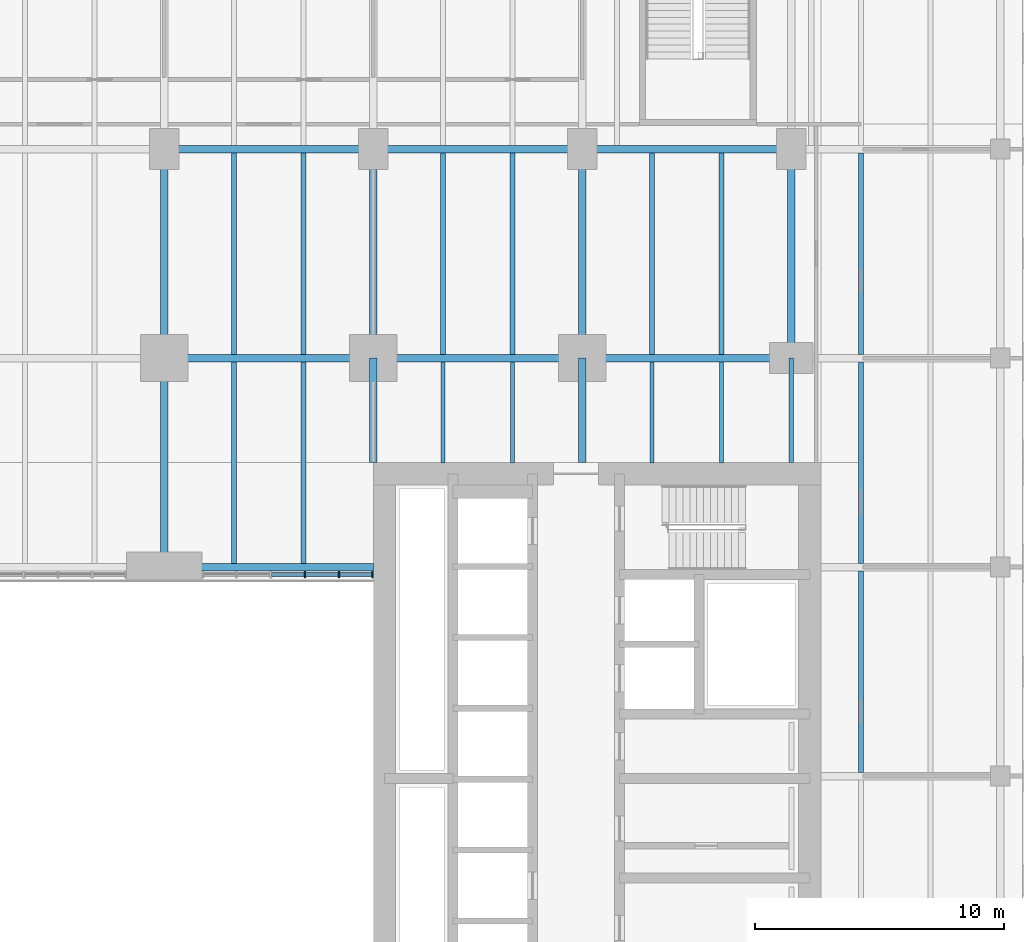
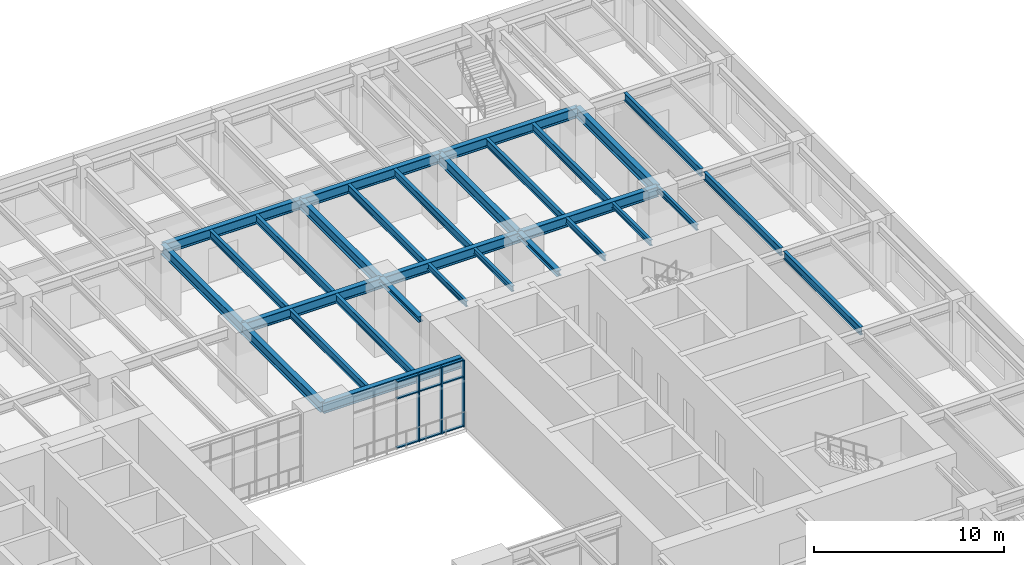
# One storey, part 6 of 26: 30 beams, 12 members, 1 element without a shape of its own.
"""IFC4 building model written with IfcOpenShell, lengths in metres."""

from ifc_helpers import new_model, si_unit, direction, frame, origin, origin_2d, place, context, subcontext, project, spatial, rectangle, i_section, extrude, material, material_profile, profile_set, type_object, element, aggregate, save


model = new_model("IFC4")

# Units and contexts
model_context = context("Model", 3, precision=1e-05, world=origin(), true_north=direction((0.0, 1.0)))
body_context = subcontext(model_context, "Body", "Model", "MODEL_VIEW")
ifc_project = project(units=[si_unit("LENGTHUNIT", "METRE"), si_unit("AREAUNIT", "SQUARE_METRE"), si_unit("VOLUMEUNIT", "CUBIC_METRE"), si_unit("PLANEANGLEUNIT", "RADIAN"), si_unit("MASSUNIT", "GRAM", prefix="KILO")], contexts=[model_context])

# Site, building, storey
site_placement = place(None, origin())
site = spatial("IfcSite", under=ifc_project, at=site_placement, CompositionType="ELEMENT")
building_placement = place(site_placement, origin())
building = spatial("IfcBuilding", under=site, at=building_placement, Name="Claustro Exchange Tower", CompositionType="ELEMENT")
storey_placement = place(building_placement, frame((0.0, 0.0, 9.89990234375)))
storey = spatial("IfcBuildingStorey", under=building, at=storey_placement, Name="L02", CompositionType="ELEMENT", Elevation=9.89990234375)

# Beams
ifc_material_1 = material(Name="Steel S355", Category="steel")
ifc_material_profile_1 = material_profile(ifc_material_1, i_section(OverallWidth=0.300048828125, OverallDepth=0.68994140625, WebThickness=0.014404296875, FlangeThickness=0.027099609375, FilletRadius=0.027099609375, at=origin_2d()), Name="HE 700 A")
ifc_profile_set_1 = profile_set([ifc_material_profile_1], Name="Steel S355")
beam_type_1 = type_object("IfcBeamType", Name="B13 HE 700 A light well edge girder", PredefinedType="BEAM", material=ifc_profile_set_1)
beam_1_placement = place(storey_placement, frame((25.199951171875, 33.60009765625, 3.955078125), z_axis=(1.0, 0.0, 0.0), x_axis=(0.0, 1.0, 0.0)))
element("IfcBeam", 1, at=beam_1_placement, inside=storey, type_object=beam_type_1, Name="Beam B13 L03", PredefinedType="BEAM", context=body_context, shape_type="SweptSolid", body=[
    extrude(i_section(OverallWidth=0.300048828125, OverallDepth=0.68994140625, WebThickness=0.014404296875, FlangeThickness=0.027099609375, FilletRadius=0.027099609375, at=origin_2d()), origin(), (0.0, 0.0, 1.0), 8.400146484375),
])
ifc_material_2 = material(Name="Steel S355", Category="steel")
ifc_material_profile_2 = material_profile(ifc_material_2, i_section(OverallWidth=0.169921875, OverallDepth=0.360107421875, WebThickness=0.008056640625, FlangeThickness=0.0126953125, FilletRadius=0.01806640625, at=origin_2d()), Name="IPE 360")
ifc_profile_set_2 = profile_set([ifc_material_profile_2], Name="Steel S355")
beam_type_2 = type_object("IfcBeamType", Name="B16 IPE 360 short-span beam", PredefinedType="BEAM", material=ifc_profile_set_2)
beam_2_placement = place(storey_placement, frame((50.39990234375, 37.800048828125, 4.1201171875), z_axis=(0.0, 1.0, 0.0), x_axis=(-1.0, 0.0, 0.0)))
element("IfcBeam", 2, at=beam_2_placement, inside=storey, type_object=beam_type_2, Name="Beam B16 L03", PredefinedType="BEAM", context=body_context, shape_type="SweptSolid", body=[
    extrude(i_section(OverallWidth=0.169921875, OverallDepth=0.360107421875, WebThickness=0.008056640625, FlangeThickness=0.0126953125, FilletRadius=0.01806640625, at=origin_2d()), origin(), (0.0, 0.0, 1.0), 4.199951171875),
])
for number, where, z_axis, x_axis, name in (
    (3, (36.39990234375, 37.7900390625, 4.1201171875), (0.0, 1.0, 0.0), (-1.0, 0.0, 0.0), "Beam B16 L03"),
    (4, (39.199951171875, 37.7900390625, 4.1201171875), (0.0, 1.0, 0.0), (-1.0, 0.0, 0.0), "Beam B16 L03"),
    (5, (44.800048828125, 37.7900390625, 4.1201171875), (0.0, 1.0, 0.0), (-1.0, 0.0, 0.0), "Beam B16 L03"),
    (6, (47.60009765625, 37.7900390625, 4.1201171875), (0.0, 1.0, 0.0), (-1.0, 0.0, 0.0), "Beam B16 L03"),
):
    element("IfcBeam", number, at=place(storey_placement, frame(where, z_axis=z_axis, x_axis=x_axis)), inside=storey, type_object=beam_type_2, Name=name, PredefinedType="BEAM", context=body_context, shape_type="SweptSolid", body=[
        extrude(i_section(OverallWidth=0.169921875, OverallDepth=0.360107421875, WebThickness=0.008056640625, FlangeThickness=0.0126953125, FilletRadius=0.01806640625, at=origin_2d()), origin(), (0.0, 0.0, 1.0), 4.06005859375),
    ])
ifc_material_3 = material(Name="Steel S355", Category="steel")
ifc_material_profile_3 = material_profile(ifc_material_3, i_section(OverallWidth=0.300048828125, OverallDepth=0.64990234375, WebThickness=0.01611328125, FlangeThickness=0.031005859375, FilletRadius=0.027099609375, at=origin_2d()), Name="HE 650 B")
ifc_profile_set_3 = profile_set([ifc_material_profile_3], Name="Steel S355")
beam_type_3 = type_object("IfcBeamType", Name="B1A HE 650 B floor girder", PredefinedType="BEAM", material=ifc_profile_set_3)
for number, where, z_axis, x_axis, name in (
    (7, (25.199951171875, 33.60009765625, 3.97509765625), (0.0, 1.0, 0.0), (-1.0, 0.0, 0.0), "Beam B1A L03"),
    (8, (25.199951171875, 42.0, 3.97509765625), (0.0, 1.0, 0.0), (-1.0, 0.0, 0.0), "Beam B1A L03"),
    (9, (33.60009765625, 42.0, 3.97509765625), (0.0, 1.0, 0.0), (-1.0, 0.0, 0.0), "Beam B1A L03"),
    (10, (42.0, 42.0, 3.97509765625), (0.0, 1.0, 0.0), (-1.0, 0.0, 0.0), "Beam B1A L03"),
    (11, (50.39990234375, 42.0, 3.97509765625), (0.0, 1.0, 0.0), (-1.0, 0.0, 0.0), "Beam B1A L03"),
):
    element("IfcBeam", number, at=place(storey_placement, frame(where, z_axis=z_axis, x_axis=x_axis)), inside=storey, type_object=beam_type_3, Name=name, PredefinedType="BEAM", context=body_context, shape_type="SweptSolid", body=[
        extrude(i_section(OverallWidth=0.300048828125, OverallDepth=0.64990234375, WebThickness=0.01611328125, FlangeThickness=0.031005859375, FilletRadius=0.027099609375, at=origin_2d()), origin(), (0.0, 0.0, 1.0), 8.39990234375),
    ])
beam_3_placement = place(storey_placement, frame((25.199951171875, 42.0, 3.97509765625), z_axis=(1.0, 0.0, 0.0), x_axis=(0.0, 1.0, 0.0)))
element("IfcBeam", 12, at=beam_3_placement, inside=storey, type_object=beam_type_3, Name="Beam B1A L03", PredefinedType="BEAM", context=body_context, shape_type="SweptSolid", body=[
    extrude(i_section(OverallWidth=0.300048828125, OverallDepth=0.64990234375, WebThickness=0.01611328125, FlangeThickness=0.031005859375, FilletRadius=0.027099609375, at=origin_2d()), origin(), (0.0, 0.0, 1.0), 8.400146484375),
])
for number, where, z_axis, x_axis, name in (
    (13, (33.60009765625, 42.0, 3.97509765625), (1.0, 0.0, 0.0), (0.0, 1.0, 0.0), "Beam B1A L03"),
    (14, (42.0, 42.0, 3.97509765625), (1.0, 0.0, 0.0), (0.0, 1.0, 0.0), "Beam B1A L03"),
):
    element("IfcBeam", number, at=place(storey_placement, frame(where, z_axis=z_axis, x_axis=x_axis)), inside=storey, type_object=beam_type_3, Name=name, PredefinedType="BEAM", context=body_context, shape_type="SweptSolid", body=[
        extrude(i_section(OverallWidth=0.300048828125, OverallDepth=0.64990234375, WebThickness=0.01611328125, FlangeThickness=0.031005859375, FilletRadius=0.027099609375, at=origin_2d()), origin(), (0.0, 0.0, 1.0), 8.39990234375),
    ])
beam_4_placement = place(storey_placement, frame((25.199951171875, 50.39990234375, 3.97509765625), z_axis=(1.0, 0.0, 0.0), x_axis=(0.0, 1.0, 0.0)))
element("IfcBeam", 15, at=beam_4_placement, inside=storey, type_object=beam_type_3, Name="Beam B1A L03", PredefinedType="BEAM", context=body_context, shape_type="SweptSolid", body=[
    extrude(i_section(OverallWidth=0.300048828125, OverallDepth=0.64990234375, WebThickness=0.01611328125, FlangeThickness=0.031005859375, FilletRadius=0.027099609375, at=origin_2d()), origin(), (0.0, 0.0, 1.0), 8.400146484375),
])
for number, where, z_axis, x_axis, name in (
    (16, (33.60009765625, 50.39990234375, 3.97509765625), (1.0, 0.0, 0.0), (0.0, 1.0, 0.0), "Beam B1A L03"),
    (17, (42.0, 50.39990234375, 3.97509765625), (1.0, 0.0, 0.0), (0.0, 1.0, 0.0), "Beam B1A L03"),
):
    element("IfcBeam", number, at=place(storey_placement, frame(where, z_axis=z_axis, x_axis=x_axis)), inside=storey, type_object=beam_type_3, Name=name, PredefinedType="BEAM", context=body_context, shape_type="SweptSolid", body=[
        extrude(i_section(OverallWidth=0.300048828125, OverallDepth=0.64990234375, WebThickness=0.01611328125, FlangeThickness=0.031005859375, FilletRadius=0.027099609375, at=origin_2d()), origin(), (0.0, 0.0, 1.0), 8.39990234375),
    ])
ifc_material_4 = material(Name="Steel S355", Category="steel")
ifc_material_profile_4 = material_profile(ifc_material_4, i_section(OverallWidth=0.199951171875, OverallDepth=0.5, WebThickness=0.01025390625, FlangeThickness=0.01611328125, FilletRadius=0.02099609375, at=origin_2d()), Name="IPE 500")
ifc_profile_set_4 = profile_set([ifc_material_profile_4], Name="Steel S355")
beam_type_4 = type_object("IfcBeamType", Name="B2 IPE 500 secondary beam", PredefinedType="BEAM", material=ifc_profile_set_4)
for number, where, z_axis, x_axis, name in (
    (18, (28.0, 33.75, 4.050048828125), (0.0, 1.0, 0.0), (-1.0, 0.0, 0.0), "Beam B2 L03"),
    (19, (30.800048828125, 33.75, 4.050048828125), (0.0, 1.0, 0.0), (-1.0, 0.0, 0.0), "Beam B2 L03"),
    (20, (28.0, 42.14990234375, 4.050048828125), (0.0, 1.0, 0.0), (-1.0, 0.0, 0.0), "Beam B2 L03"),
    (21, (30.800048828125, 42.14990234375, 4.050048828125), (0.0, 1.0, 0.0), (-1.0, 0.0, 0.0), "Beam B2 L03"),
    (22, (36.39990234375, 42.14990234375, 4.050048828125), (0.0, 1.0, 0.0), (-1.0, 0.0, 0.0), "Beam B2 L03"),
    (23, (39.199951171875, 42.14990234375, 4.050048828125), (0.0, 1.0, 0.0), (-1.0, 0.0, 0.0), "Beam B2 L03"),
    (24, (44.800048828125, 42.14990234375, 4.050048828125), (0.0, 1.0, 0.0), (-1.0, 0.0, 0.0), "Beam B2 L03"),
    (25, (47.60009765625, 42.14990234375, 4.050048828125), (0.0, 1.0, 0.0), (-1.0, 0.0, 0.0), "Beam B2 L03"),
):
    element("IfcBeam", number, at=place(storey_placement, frame(where, z_axis=z_axis, x_axis=x_axis)), inside=storey, type_object=beam_type_4, Name=name, PredefinedType="BEAM", context=body_context, shape_type="SweptSolid", body=[
        extrude(i_section(OverallWidth=0.199951171875, OverallDepth=0.5, WebThickness=0.01025390625, FlangeThickness=0.01611328125, FilletRadius=0.02099609375, at=origin_2d()), origin(), (0.0, 0.0, 1.0), 8.10009765625),
    ])
beam_5_placement = place(storey_placement, frame((53.199951171875, 25.35009765625, 4.050048828125), z_axis=(0.0, 1.0, 0.0), x_axis=(-1.0, 0.0, 0.0)))
element("IfcBeam", 26, at=beam_5_placement, inside=storey, type_object=beam_type_4, Name="Beam B2 L03", PredefinedType="BEAM", context=body_context, shape_type="SweptSolid", body=[
    extrude(i_section(OverallWidth=0.199951171875, OverallDepth=0.5, WebThickness=0.01025390625, FlangeThickness=0.01611328125, FilletRadius=0.02099609375, at=origin_2d()), origin(), (0.0, 0.0, 1.0), 8.099853515625),
])
for number, where, z_axis, x_axis, name in (
    (27, (53.199951171875, 33.75, 4.050048828125), (0.0, 1.0, 0.0), (-1.0, 0.0, 0.0), "Beam B2 L03"),
    (28, (53.199951171875, 42.14990234375, 4.050048828125), (0.0, 1.0, 0.0), (-1.0, 0.0, 0.0), "Beam B2 L03"),
):
    element("IfcBeam", number, at=place(storey_placement, frame(where, z_axis=z_axis, x_axis=x_axis)), inside=storey, type_object=beam_type_4, Name=name, PredefinedType="BEAM", context=body_context, shape_type="SweptSolid", body=[
        extrude(i_section(OverallWidth=0.199951171875, OverallDepth=0.5, WebThickness=0.01025390625, FlangeThickness=0.01611328125, FilletRadius=0.02099609375, at=origin_2d()), origin(), (0.0, 0.0, 1.0), 8.10009765625),
    ])
ifc_material_5 = material(Name="Steel S355", Category="steel")
ifc_material_profile_5 = material_profile(ifc_material_5, i_section(OverallWidth=0.300048828125, OverallDepth=0.360107421875, WebThickness=0.012451171875, FlangeThickness=0.0224609375, FilletRadius=0.027099609375, at=origin_2d()), Name="HE 360 B")
ifc_profile_set_5 = profile_set([ifc_material_profile_5], Name="Steel S355")
beam_type_5 = type_object("IfcBeamType", Name="B29 HE 360 B column to core link beam", PredefinedType="BEAM", material=ifc_profile_set_5)
for number, where, z_axis, x_axis, name in (
    (29, (33.60009765625, 37.800048828125, 4.1201171875), (0.0, 1.0, 0.0), (-1.0, 0.0, 0.0), "Beam B29 L03"),
    (30, (42.0, 37.800048828125, 4.1201171875), (0.0, 1.0, 0.0), (-1.0, 0.0, 0.0), "Beam B29 L03"),
):
    element("IfcBeam", number, at=place(storey_placement, frame(where, z_axis=z_axis, x_axis=x_axis)), inside=storey, type_object=beam_type_5, Name=name, PredefinedType="BEAM", context=body_context, shape_type="SweptSolid", body=[
        extrude(i_section(OverallWidth=0.300048828125, OverallDepth=0.360107421875, WebThickness=0.012451171875, FlangeThickness=0.0224609375, FilletRadius=0.027099609375, at=origin_2d()), origin(), (0.0, 0.0, 1.0), 4.199951171875),
    ])

# Curtain wall, members
ifc_material_6 = material(Name="Aluminium frame, clear double glazing", Category="aluminium")
curtain_wall_type = type_object("IfcCurtainWallType", Name="CW6 sky lobby and conference curtain wall", PredefinedType="USERDEFINED", material=ifc_material_6)
curtain_wall_placement = place(storey_placement, origin())
curtain_wall = element("IfcCurtainWall", 31, at=curtain_wall_placement, inside=storey, type_object=curtain_wall_type, Name="Curtain wall CW6 L02", ObjectType="STICK CURTAIN WALL", PredefinedType="USERDEFINED")
ifc_material_7 = material(Name="Aluminium mullion", Category="aluminium")
ifc_material_profile_6 = material_profile(ifc_material_7, rectangle(XDim=0.25, YDim=0.070068359375, at=origin_2d()), Name="CW6-M 70x250")
ifc_profile_set_6 = profile_set([ifc_material_profile_6], Name="Aluminium mullion")
member_type_1 = type_object("IfcMemberType", Name="CW6-M 70 x 250 mullion", PredefinedType="MULLION", material=ifc_profile_set_6)
member_1_placement = place(storey_placement, frame((30.85009765625, 33.300048828125, 0.0), z_axis=(0.0, 0.0, 1.0), x_axis=(0.0, 1.0, 0.0)))
member_1 = element("IfcMember", 32, at=member_1_placement, type_object=member_type_1, Name="CW6 mullion 4", PredefinedType="MULLION", context=body_context, shape_type="SweptSolid", body=[
    extrude(rectangle(XDim=0.25, YDim=0.070068359375, at=origin_2d()), origin(), (0.0, 0.0, 1.0), 4.300048828125),
])
member_2_placement = place(storey_placement, frame((32.22509765625, 33.300048828125, 0.0), z_axis=(0.0, 0.0, 1.0), x_axis=(0.0, 1.0, 0.0)))
member_2 = element("IfcMember", 33, at=member_2_placement, type_object=member_type_1, Name="CW6 mullion 5", PredefinedType="MULLION", context=body_context, shape_type="SweptSolid", body=[
    extrude(rectangle(XDim=0.25, YDim=0.070068359375, at=origin_2d()), origin(), (0.0, 0.0, 1.0), 4.300048828125),
])
member_3_placement = place(storey_placement, frame((33.56494140625, 33.300048828125, 0.0), z_axis=(0.0, 0.0, 1.0), x_axis=(0.0, 1.0, 0.0)))
member_3 = element("IfcMember", 34, at=member_3_placement, type_object=member_type_1, Name="CW6 mullion 6", PredefinedType="MULLION", context=body_context, shape_type="SweptSolid", body=[
    extrude(rectangle(XDim=0.25, YDim=0.070068359375, at=origin_2d()), origin(), (0.0, 0.0, 1.0), 4.300048828125),
])
ifc_material_8 = material(Name="Aluminium transom", Category="aluminium")
ifc_material_profile_7 = material_profile(ifc_material_8, rectangle(XDim=0.159912109375, YDim=0.070068359375, at=origin_2d()), Name="CW6-T 70x160")
ifc_profile_set_7 = profile_set([ifc_material_profile_7], Name="Aluminium transom")
member_type_2 = type_object("IfcMemberType", Name="CW6-T 70 x 160 transom", PredefinedType="USERDEFINED", material=ifc_profile_set_7)
member_4_placement = place(storey_placement, frame((29.510009765625, 33.300048828125, 0.03515625), z_axis=(1.0, 0.0, 0.0), x_axis=(0.0, 1.0, 0.0)))
member_4 = element("IfcMember", 35, at=member_4_placement, type_object=member_type_2, Name="CW6 transom 3.1", ObjectType="TRANSOM", PredefinedType="USERDEFINED", context=body_context, shape_type="SweptSolid", body=[
    extrude(rectangle(XDim=0.159912109375, YDim=0.070068359375, at=origin_2d()), origin(), (0.0, 0.0, 1.0), 1.304931640625),
])
member_5_placement = place(storey_placement, frame((29.510009765625, 33.300048828125, 3.2001953125), z_axis=(1.0, 0.0, 0.0), x_axis=(0.0, 1.0, 0.0)))
member_5 = element("IfcMember", 36, at=member_5_placement, type_object=member_type_2, Name="CW6 transom 3.2", ObjectType="TRANSOM", PredefinedType="USERDEFINED", context=body_context, shape_type="SweptSolid", body=[
    extrude(rectangle(XDim=0.159912109375, YDim=0.070068359375, at=origin_2d()), origin(), (0.0, 0.0, 1.0), 1.304931640625),
])
member_6_placement = place(storey_placement, frame((29.510009765625, 33.300048828125, 4.26513671875), z_axis=(1.0, 0.0, 0.0), x_axis=(0.0, 1.0, 0.0)))
member_6 = element("IfcMember", 37, at=member_6_placement, type_object=member_type_2, Name="CW6 transom 3.3", ObjectType="TRANSOM", PredefinedType="USERDEFINED", context=body_context, shape_type="SweptSolid", body=[
    extrude(rectangle(XDim=0.159912109375, YDim=0.070068359375, at=origin_2d()), origin(), (0.0, 0.0, 1.0), 1.304931640625),
])
member_7_placement = place(storey_placement, frame((30.885009765625, 33.300048828125, 0.03515625), z_axis=(1.0, 0.0, 0.0), x_axis=(0.0, 1.0, 0.0)))
member_7 = element("IfcMember", 38, at=member_7_placement, type_object=member_type_2, Name="CW6 transom 4.1", ObjectType="TRANSOM", PredefinedType="USERDEFINED", context=body_context, shape_type="SweptSolid", body=[
    extrude(rectangle(XDim=0.159912109375, YDim=0.070068359375, at=origin_2d()), origin(), (0.0, 0.0, 1.0), 1.304931640625),
])
member_8_placement = place(storey_placement, frame((30.885009765625, 33.300048828125, 3.2001953125), z_axis=(1.0, 0.0, 0.0), x_axis=(0.0, 1.0, 0.0)))
member_8 = element("IfcMember", 39, at=member_8_placement, type_object=member_type_2, Name="CW6 transom 4.2", ObjectType="TRANSOM", PredefinedType="USERDEFINED", context=body_context, shape_type="SweptSolid", body=[
    extrude(rectangle(XDim=0.159912109375, YDim=0.070068359375, at=origin_2d()), origin(), (0.0, 0.0, 1.0), 1.304931640625),
])
member_9_placement = place(storey_placement, frame((30.885009765625, 33.300048828125, 4.26513671875), z_axis=(1.0, 0.0, 0.0), x_axis=(0.0, 1.0, 0.0)))
member_9 = element("IfcMember", 40, at=member_9_placement, type_object=member_type_2, Name="CW6 transom 4.3", ObjectType="TRANSOM", PredefinedType="USERDEFINED", context=body_context, shape_type="SweptSolid", body=[
    extrude(rectangle(XDim=0.159912109375, YDim=0.070068359375, at=origin_2d()), origin(), (0.0, 0.0, 1.0), 1.304931640625),
])
member_10_placement = place(storey_placement, frame((32.260009765625, 33.300048828125, 0.03515625), z_axis=(1.0, 0.0, 0.0), x_axis=(0.0, 1.0, 0.0)))
member_10 = element("IfcMember", 41, at=member_10_placement, type_object=member_type_2, Name="CW6 transom 5.1", ObjectType="TRANSOM", PredefinedType="USERDEFINED", context=body_context, shape_type="SweptSolid", body=[
    extrude(rectangle(XDim=0.159912109375, YDim=0.070068359375, at=origin_2d()), origin(), (0.0, 0.0, 1.0), 1.27001953125),
])
member_11_placement = place(storey_placement, frame((32.260009765625, 33.300048828125, 3.2001953125), z_axis=(1.0, 0.0, 0.0), x_axis=(0.0, 1.0, 0.0)))
member_11 = element("IfcMember", 42, at=member_11_placement, type_object=member_type_2, Name="CW6 transom 5.2", ObjectType="TRANSOM", PredefinedType="USERDEFINED", context=body_context, shape_type="SweptSolid", body=[
    extrude(rectangle(XDim=0.159912109375, YDim=0.070068359375, at=origin_2d()), origin(), (0.0, 0.0, 1.0), 1.27001953125),
])
member_12_placement = place(storey_placement, frame((32.260009765625, 33.300048828125, 4.26513671875), z_axis=(1.0, 0.0, 0.0), x_axis=(0.0, 1.0, 0.0)))
member_12 = element("IfcMember", 43, at=member_12_placement, type_object=member_type_2, Name="CW6 transom 5.3", ObjectType="TRANSOM", PredefinedType="USERDEFINED", context=body_context, shape_type="SweptSolid", body=[
    extrude(rectangle(XDim=0.159912109375, YDim=0.070068359375, at=origin_2d()), origin(), (0.0, 0.0, 1.0), 1.27001953125),
])
aggregate(curtain_wall, [member_1, member_2, member_3, member_4, member_5, member_6, member_7, member_8, member_9, member_10, member_11, member_12])

save(model, "model.ifc")
